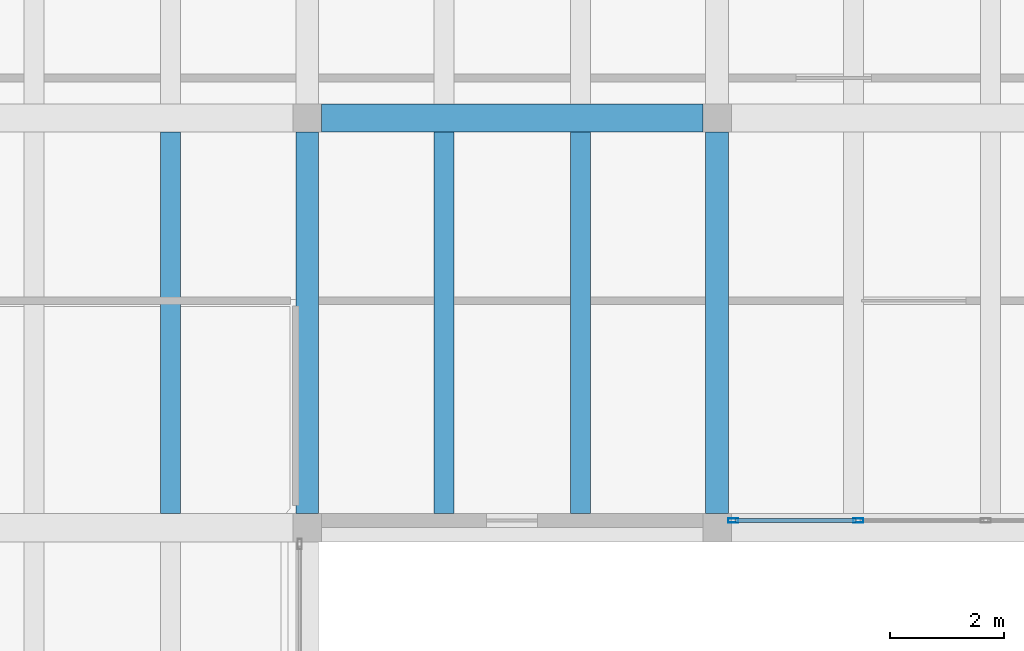
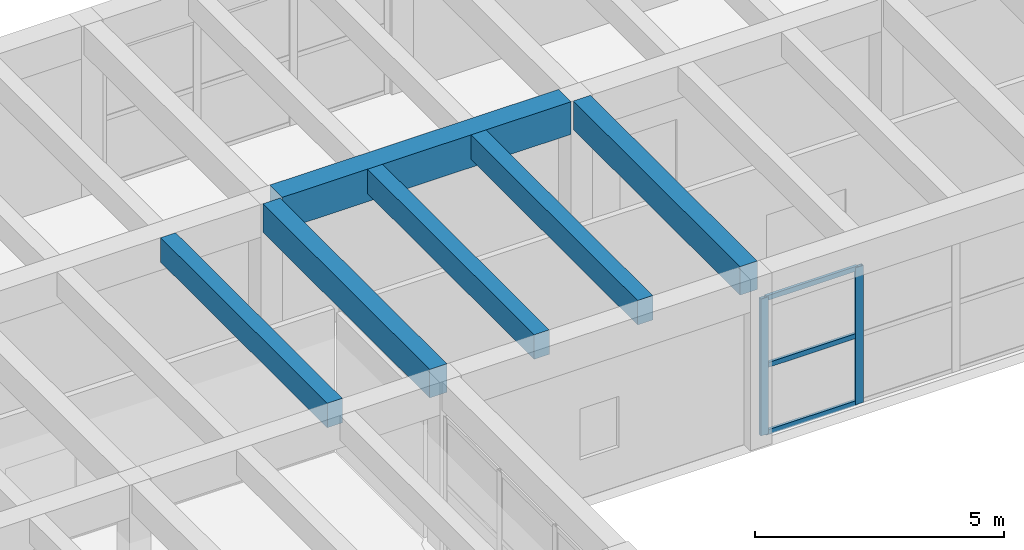
# One storey, part 55 of 153: 6 beams, 5 members, 1 element without a shape of its own.
"""IFC4 building model written with IfcOpenShell, lengths in metres."""

import ifcopenshell
import ifcopenshell.guid

model = None  # the IFC model being written
_history = None  # IfcOwnerHistory: only IFC2X3 demands one
_inside = {}  # id of a spatial element -> (the spatial element, [elements in it])
_under = {}  # id of a project, library or spatial element -> (it, [spatial elements below it])
_declared = {}  # id of a project -> (the project, [libraries it declares])
_typed = {}  # id of a type object -> (the type object, [elements of that type])
_made_of = {}  # id of a material, layer set ... -> (it, [elements and type objects made of it])


def new_model(schema):
    """Start an empty IFC model of exactly this schema.

    Asked for "IFC4X3", IfcOpenShell would pick the latest addendum, in which some entities
    have other attributes; the version numbers below select the first issue.
    IFC2X3 requires an IfcOwnerHistory on every rooted entity: one is made here for all.
    """
    global model, _history
    if schema == "IFC4X3":
        model = ifcopenshell.file(schema_version=(4, 3, 0, 0))
    else:
        model = ifcopenshell.file(schema=schema)
    _inside.clear()
    _under.clear()
    _declared.clear()
    _typed.clear()
    _made_of.clear()
    _history = None
    if model.schema == "IFC2X3":
        org = make("IfcOrganization", Name="unknown")
        user = make(
            "IfcPersonAndOrganization",
            ThePerson=make("IfcPerson", FamilyName="unknown"),
            TheOrganization=org,
        )
        app = make(
            "IfcApplication",
            ApplicationDeveloper=org,
            Version="unknown",
            ApplicationFullName="unknown",
            ApplicationIdentifier="unknown",
        )
        _history = make(
            "IfcOwnerHistory",
            OwningUser=user,
            OwningApplication=app,
            ChangeAction="ADDED",
            CreationDate=0,
        )
    return model


def make(cls, **values):
    """One entity of the class cls with the attributes given. An attribute that is None is left unset."""
    return model.create_entity(
        cls, **{name: value for name, value in values.items() if value is not None}
    )


def rooted(cls, **values):
    """An entity with a GlobalId (a new one), such as an element, a storey or a relation."""
    return make(cls, GlobalId=ifcopenshell.guid.new(), OwnerHistory=_history, **values)


def si_unit(unit_type, name, prefix=None):
    """IfcSIUnit, for example si_unit("LENGTHUNIT", "METRE", prefix="MILLI")."""
    return make("IfcSIUnit", UnitType=unit_type, Prefix=prefix, Name=name)


def assignment(units):
    """IfcUnitAssignment: the units of a project."""
    return None if units is None else make("IfcUnitAssignment", Units=units)


def point(xyz):
    """IfcCartesianPoint."""
    return None if xyz is None else make("IfcCartesianPoint", Coordinates=xyz)


def direction(xyz):
    """IfcDirection."""
    return None if xyz is None else make("IfcDirection", DirectionRatios=xyz)


def frame(location, z_axis=None, x_axis=None):
    """IfcAxis2Placement3D, a coordinate frame: its origin and axes. An axis left out is left unset."""
    return make(
        "IfcAxis2Placement3D",
        Location=point(location),
        Axis=direction(z_axis),
        RefDirection=direction(x_axis),
    )


def frame_2d(location, x_axis=None):
    """IfcAxis2Placement2D, a coordinate frame in the plane: its origin and x axis."""
    return make(
        "IfcAxis2Placement2D", Location=point(location), RefDirection=direction(x_axis)
    )


def origin():
    """The frame at (0, 0, 0) with its axes left unset."""
    return frame((0.0, 0.0, 0.0))


def origin_2d():
    """The frame at (0, 0) in the plane with its x axis left unset."""
    return frame_2d((0.0, 0.0))


def place(relative_to, where):
    """IfcLocalPlacement: puts the frame where relative to a parent placement (None: the world)."""
    return make(
        "IfcLocalPlacement", PlacementRelTo=relative_to, RelativePlacement=where
    )


def context(
    kind, dimensions, precision=None, world=None, true_north=None, identifier=None
):
    """IfcGeometricRepresentationContext, for example the 3D "Model" context."""
    return make(
        "IfcGeometricRepresentationContext",
        ContextIdentifier=identifier,
        ContextType=kind,
        CoordinateSpaceDimension=dimensions,
        Precision=precision,
        WorldCoordinateSystem=world,
        TrueNorth=true_north,
    )


def subcontext(parent, identifier, kind, view, scale=None):
    """IfcGeometricRepresentationSubContext, for example "Body" below "Model"."""
    return make(
        "IfcGeometricRepresentationSubContext",
        ContextIdentifier=identifier,
        ContextType=kind,
        ParentContext=parent,
        TargetScale=scale,
        TargetView=view,
    )


def project(units=None, contexts=None):
    """IfcProject with its units and contexts."""
    return rooted(
        "IfcProject",
        Name="project",
        RepresentationContexts=contexts,
        UnitsInContext=assignment(units),
    )


def spatial(cls, under=None, at=None, **own):
    """A site, building, storey or space (cls), placed at a placement, below another one or the project."""
    s = rooted(cls, ObjectPlacement=at, **own)
    if under is not None:
        _under.setdefault(under.id(), (under, []))[1].append(s)
    return s


def profile(cls, at=None, kind="AREA", **sizes):
    """A parametric profile (cls). Its sizes go by their IFC names, for example OverallWidth=200.0."""
    return make(cls, ProfileType=kind, Position=at, **sizes)


def rectangle(**sizes):
    """IfcRectangleProfileDef."""
    return profile("IfcRectangleProfileDef", **sizes)


def hollow_rectangle(**sizes):
    """IfcRectangleHollowProfileDef."""
    return profile("IfcRectangleHollowProfileDef", **sizes)


def extrude(swept, where, along, depth):
    """IfcExtrudedAreaSolid: the profile swept, set in the frame where, extruded along a direction by depth."""
    return make(
        "IfcExtrudedAreaSolid",
        SweptArea=swept,
        Position=where,
        ExtrudedDirection=direction(along),
        Depth=depth,
    )


def shape(context_of_items, identifier, shape_type, items):
    """IfcShapeRepresentation: the items that make up one representation, for example the "Body"."""
    return make(
        "IfcShapeRepresentation",
        ContextOfItems=context_of_items,
        RepresentationIdentifier=identifier,
        RepresentationType=shape_type,
        Items=items,
    )


def material(Name=None, Category=None):
    """IfcMaterial."""
    return make("IfcMaterial", Name=Name, Category=Category)


def material_profile(
    of_material, cross_section, Name=None, Category=None, Priority=None
):
    """IfcMaterialProfile: a cross section and its material."""
    return make(
        "IfcMaterialProfile",
        Name=Name,
        Material=of_material,
        Profile=cross_section,
        Priority=Priority,
        Category=Category,
    )


def profile_set(profiles, Name=None, composite=None):
    """IfcMaterialProfileSet."""
    return make(
        "IfcMaterialProfileSet",
        Name=Name,
        MaterialProfiles=profiles,
        CompositeProfile=composite,
    )


def made_of(thing, what):
    """Note that an element or type object is made of a material, layer set ...; save() writes the relation."""
    if what is not None:
        _made_of.setdefault(what.id(), (what, []))[1].append(thing)
    return thing


def type_object(cls, material=None, **own):
    """A type object (cls), such as IfcWallType, which elements share."""
    return made_of(rooted(cls, **own), material)


def element(
    cls,
    number,
    at=None,
    inside=None,
    cuts=None,
    type_object=None,
    material=None,
    context=None,
    identifier="Body",
    shape_type=None,
    held_by="IfcProductDefinitionShape",
    body=None,
    shapes=None,
    **own,
):
    """One element of the class cls, such as IfcWall. Its Tag is "e" and its number.

    at: its placement. inside: the storey or other place that contains it. cuts: it is an
    opening in that element (IfcRelVoidsElement). A single representation is given by context,
    identifier, shape_type and body (its items); several are given by shapes. held_by: the class
    of the entity that holds the representations. save() writes the other relations.
    """
    e = rooted(cls, Tag="e%d" % number, ObjectPlacement=at, **own)
    if body is not None:
        shapes = [shape(context, identifier, shape_type, body)]
    if shapes is not None:
        e.Representation = make(held_by, Representations=shapes)
    if inside is not None:
        _inside.setdefault(inside.id(), (inside, []))[1].append(e)
    if cuts is not None:
        rooted(
            "IfcRelVoidsElement", RelatingBuildingElement=cuts, RelatedOpeningElement=e
        )
    if type_object is not None:
        _typed.setdefault(type_object.id(), (type_object, []))[1].append(e)
    return made_of(e, material)


def aggregate(whole, parts):
    """IfcRelAggregates: a whole, such as a stair, and the parts it consists of."""
    return rooted("IfcRelAggregates", RelatingObject=whole, RelatedObjects=parts)


def save(model, path):
    """Write the relations noted so far, then the file.

    IfcRelAggregates (storeys below a building ...), IfcRelContainedInSpatialStructure (elements
    in a storey), IfcRelDefinesByType, IfcRelAssociatesMaterial and IfcRelDeclares: one each for
    every whole, place, type object, material and project.
    """
    for whole, parts in _under.values():
        aggregate(whole, parts)
    for where, things in _inside.values():
        rooted(
            "IfcRelContainedInSpatialStructure",
            RelatedElements=things,
            RelatingStructure=where,
        )
    for kind, things in _typed.values():
        rooted("IfcRelDefinesByType", RelatedObjects=things, RelatingType=kind)
    for what, things in _made_of.values():
        rooted("IfcRelAssociatesMaterial", RelatedObjects=things, RelatingMaterial=what)
    for by, libraries in _declared.values():
        rooted("IfcRelDeclares", RelatingContext=by, RelatedDefinitions=libraries)
    model.write(path)


model = new_model("IFC4")

# Units and contexts
model_context = context("Model", 3, precision=1e-05, world=origin(), true_north=direction((0.0, 1.0)))
body_context = subcontext(model_context, "Body", "Model", "MODEL_VIEW")
ifc_project = project(units=[si_unit("LENGTHUNIT", "METRE"), si_unit("AREAUNIT", "SQUARE_METRE"), si_unit("VOLUMEUNIT", "CUBIC_METRE"), si_unit("PLANEANGLEUNIT", "RADIAN"), si_unit("MASSUNIT", "GRAM", prefix="KILO")], contexts=[model_context])

# Site, building, storey
site_placement = place(None, origin())
site = spatial("IfcSite", under=ifc_project, at=site_placement, CompositionType="ELEMENT")
building_placement = place(site_placement, origin())
building = spatial("IfcBuilding", under=site, at=building_placement, Name="Bramvelor Terrace Health Centre", CompositionType="ELEMENT")
storey_placement = place(building_placement, frame((0.0, 0.0, 4.800048828125)))
storey = spatial("IfcBuildingStorey", under=building, at=storey_placement, Name="L02", CompositionType="ELEMENT", Elevation=4.800048828125)

# Beams
ifc_material_1 = material(Name="Concrete C40/50", Category="concrete")
ifc_material_profile_1 = material_profile(ifc_material_1, rectangle(XDim=0.39990234375, YDim=0.699951171875, at=origin_2d()), Name="RC 400x700")
ifc_profile_set_1 = profile_set([ifc_material_profile_1], Name="Concrete C40/50")
beam_type_1 = type_object("IfcBeamType", Name="BM-RC-G700", PredefinedType="BEAM", material=ifc_profile_set_1)
for number, where, z_axis, x_axis, name in (
    (1, (115.199951171875, 50.64990234375, 3.849853515625), (0.0, 1.0, 0.0), (-1.0, 0.0, 0.0), "L02 Floor Girder"),
    (2, (122.39990234375, 50.64990234375, 3.849853515625), (0.0, 1.0, 0.0), (-1.0, 0.0, 0.0), "L02 Floor Girder"),
):
    element("IfcBeam", number, at=place(storey_placement, frame(where, z_axis=z_axis, x_axis=x_axis)), inside=storey, type_object=beam_type_1, Name=name, PredefinedType="BEAM", context=body_context, shape_type="SweptSolid", body=[
        extrude(rectangle(XDim=0.39990234375, YDim=0.699951171875, at=origin_2d()), origin(), (0.0, 0.0, 1.0), 6.7001953125),
    ])
ifc_material_2 = material(Name="Concrete C40/50", Category="concrete")
ifc_material_profile_2 = material_profile(ifc_material_2, rectangle(XDim=0.5, YDim=0.800048828125, at=origin_2d()), Name="RC 500x800")
ifc_profile_set_2 = profile_set([ifc_material_profile_2], Name="Concrete C40/50")
beam_type_2 = type_object("IfcBeamType", Name="BM-RC-G800", PredefinedType="BEAM", material=ifc_profile_set_2)
beam_placement = place(storey_placement, frame((115.449951171875, 57.60009765625, 3.800048828125), z_axis=(1.0, 0.0, 0.0), x_axis=(0.0, 1.0, 0.0)))
element("IfcBeam", 3, at=beam_placement, inside=storey, type_object=beam_type_2, Name="L02 Floor Girder", PredefinedType="BEAM", context=body_context, shape_type="SweptSolid", body=[
    extrude(rectangle(XDim=0.5, YDim=0.800048828125, at=origin_2d()), origin(), (0.0, 0.0, 1.0), 6.699951171875),
])
ifc_material_3 = material(Name="Concrete C40/50", Category="concrete")
ifc_material_profile_3 = material_profile(ifc_material_3, rectangle(XDim=0.35009765625, YDim=0.60009765625, at=origin_2d()), Name="RC 350x600")
ifc_profile_set_3 = profile_set([ifc_material_profile_3], Name="Concrete C40/50")
beam_type_3 = type_object("IfcBeamType", Name="BM-RC-J600", PredefinedType="JOIST", material=ifc_profile_set_3)
for number, where, z_axis, x_axis, name in (
    (4, (112.800048828125, 50.64990234375, 3.89990234375), (0.0, 1.0, 0.0), (-1.0, 0.0, 0.0), "L02 Secondary Floor Joist"),
    (5, (117.60009765625, 50.64990234375, 3.89990234375), (0.0, 1.0, 0.0), (-1.0, 0.0, 0.0), "L02 Secondary Floor Joist"),
    (6, (120.0, 50.64990234375, 3.89990234375), (0.0, 1.0, 0.0), (-1.0, 0.0, 0.0), "L02 Secondary Floor Joist"),
):
    element("IfcBeam", number, at=place(storey_placement, frame(where, z_axis=z_axis, x_axis=x_axis)), inside=storey, type_object=beam_type_3, Name=name, PredefinedType="JOIST", context=body_context, shape_type="SweptSolid", body=[
        extrude(rectangle(XDim=0.35009765625, YDim=0.60009765625, at=origin_2d()), origin(), (0.0, 0.0, 1.0), 6.7001953125),
    ])

# Curtain wall, members
ifc_material_4 = material(Name="Anodized aluminium and double low-E glass", Category="aluminium")
curtain_wall_type = type_object("IfcCurtainWallType", Name="CW-SYS-16", PredefinedType="NOTDEFINED", material=ifc_material_4)
curtain_wall_placement = place(storey_placement, origin())
curtain_wall = element("IfcCurtainWall", 7, at=curtain_wall_placement, inside=storey, type_object=curtain_wall_type, Name="L02 Unitized Curtain Wall 110", PredefinedType="NOTDEFINED")
ifc_material_5 = material(Name="Anodized aluminium 6063-T6", Category="aluminium")
ifc_material_profile_4 = material_profile(ifc_material_5, hollow_rectangle(XDim=0.074951171875, YDim=0.179931640625, WallThickness=0.00341796875, at=origin_2d()), Name="ALU-MUL 75x180x3.5")
ifc_profile_set_4 = profile_set([ifc_material_profile_4], Name="Anodized aluminium 6063-T6")
member_type_1 = type_object("IfcMemberType", Name="CW-MUL-65x180", PredefinedType="MULLION", material=ifc_profile_set_4)
member_1_placement = place(storey_placement, frame((124.881591796875, 50.530029296875, 0.0), z_axis=(0.0, 0.0, 1.0), x_axis=(0.0, -1.0, 0.0)))
member_1 = element("IfcMember", 8, at=member_1_placement, type_object=member_type_1, Name="CW-16 mullion 3", PredefinedType="MULLION", context=body_context, shape_type="SweptSolid", body=[
    extrude(hollow_rectangle(XDim=0.074951171875, YDim=0.179931640625, WallThickness=0.00341796875, at=origin_2d()), origin(), (0.0, 0.0, 1.0), 3.35986328125),
])
member_2_placement = place(storey_placement, frame((122.6826171875, 50.530029296875, 0.0), z_axis=(0.0, 0.0, 1.0), x_axis=(0.0, -1.0, 0.0)))
member_2 = element("IfcMember", 9, at=member_2_placement, type_object=member_type_1, Name="CW-16 mullion 4", PredefinedType="MULLION", context=body_context, shape_type="SweptSolid", body=[
    extrude(hollow_rectangle(XDim=0.074951171875, YDim=0.179931640625, WallThickness=0.00341796875, at=origin_2d()), origin(), (0.0, 0.0, 1.0), 3.35986328125),
])
ifc_material_6 = material(Name="Anodized aluminium 6063-T6", Category="aluminium")
ifc_material_profile_5 = material_profile(ifc_material_6, hollow_rectangle(XDim=0.06494140625, YDim=0.1201171875, WallThickness=0.0029296875, at=origin_2d()), Name="ALU-TRN 65x120x3.0")
ifc_profile_set_5 = profile_set([ifc_material_profile_5], Name="Anodized aluminium 6063-T6")
member_type_2 = type_object("IfcMemberType", Name="CW-TRN-65x150", PredefinedType="USERDEFINED", material=ifc_profile_set_5)
member_3_placement = place(storey_placement, frame((124.84423828125, 50.530029296875, 0.032470703125), z_axis=(-1.0, 0.0, 0.0), x_axis=(0.0, -1.0, 0.0)))
member_3 = element("IfcMember", 10, at=member_3_placement, type_object=member_type_2, Name="CW-16 transom 3.1", ObjectType="TRANSOM", PredefinedType="USERDEFINED", context=body_context, shape_type="SweptSolid", body=[
    extrude(hollow_rectangle(XDim=0.06494140625, YDim=0.1201171875, WallThickness=0.0029296875, at=origin_2d()), origin(), (0.0, 0.0, 1.0), 2.124267578125),
])
member_4_placement = place(storey_placement, frame((124.84423828125, 50.530029296875, 1.679931640625), z_axis=(-1.0, 0.0, 0.0), x_axis=(0.0, -1.0, 0.0)))
member_4 = element("IfcMember", 11, at=member_4_placement, type_object=member_type_2, Name="CW-16 transom 3.2", ObjectType="TRANSOM", PredefinedType="USERDEFINED", context=body_context, shape_type="SweptSolid", body=[
    extrude(hollow_rectangle(XDim=0.06494140625, YDim=0.1201171875, WallThickness=0.0029296875, at=origin_2d()), origin(), (0.0, 0.0, 1.0), 2.124267578125),
])
member_5_placement = place(storey_placement, frame((124.84423828125, 50.530029296875, 3.327392578125), z_axis=(-1.0, 0.0, 0.0), x_axis=(0.0, -1.0, 0.0)))
member_5 = element("IfcMember", 12, at=member_5_placement, type_object=member_type_2, Name="CW-16 transom 3.3", ObjectType="TRANSOM", PredefinedType="USERDEFINED", context=body_context, shape_type="SweptSolid", body=[
    extrude(hollow_rectangle(XDim=0.06494140625, YDim=0.1201171875, WallThickness=0.0029296875, at=origin_2d()), origin(), (0.0, 0.0, 1.0), 2.124267578125),
])
aggregate(curtain_wall, [member_1, member_2, member_3, member_4, member_5])

save(model, "model.ifc")
